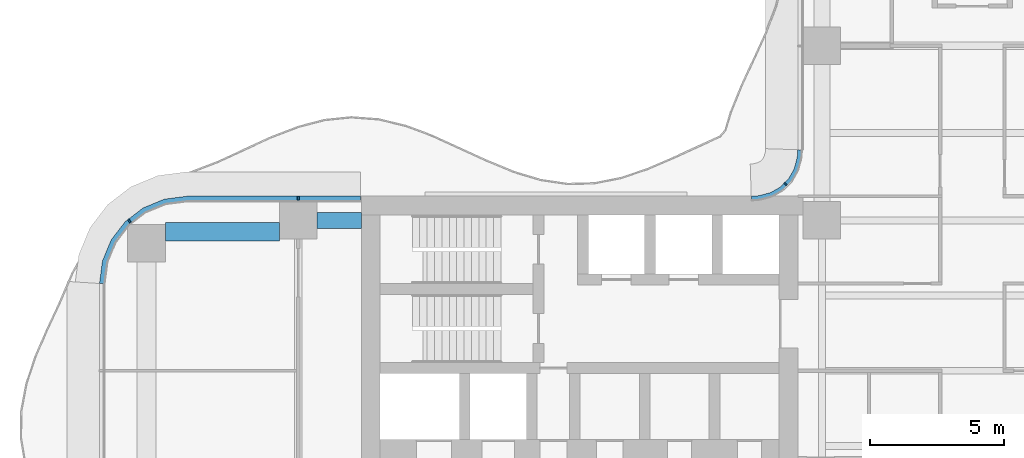
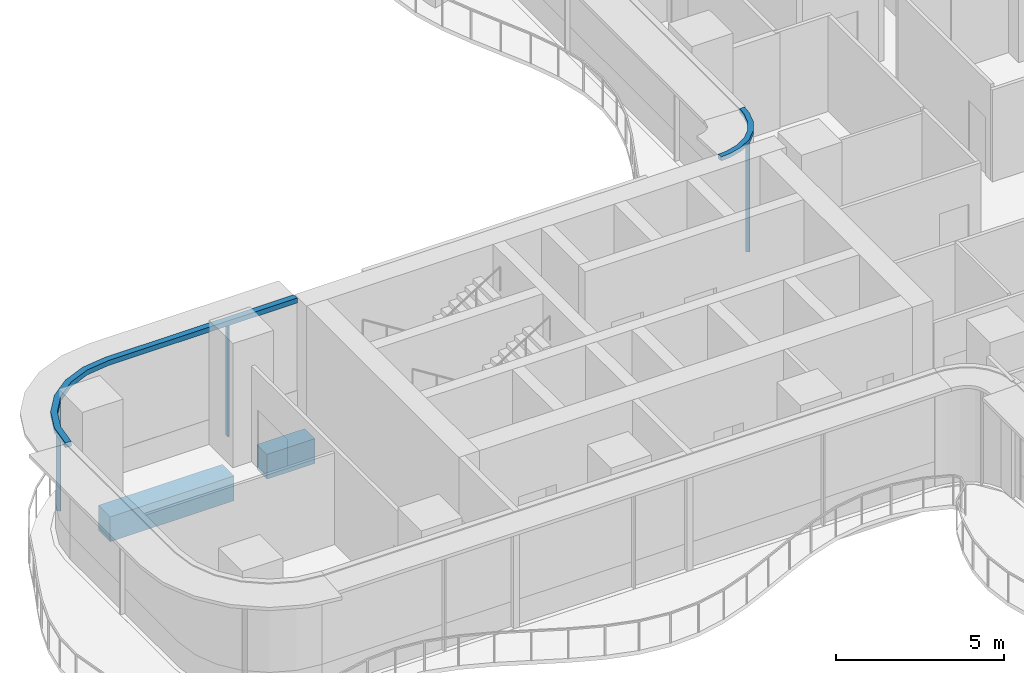
# One storey, part 8 of 22: 5 members, 2 beams, 2 elements without a shape of their own.
"""IFC4 building model written with IfcOpenShell, lengths in metres."""

from ifc_helpers import new_model, si_unit, direction, frame, origin, origin_2d, place, context, subcontext, project, spatial, polyline, rectangle, outline, extrude, source, transform, mapped, material, layer, layer_set, material_profile, profile_set, type_object, element, aggregate, save


model = new_model("IFC4")

# Units and contexts
model_context = context("Model", 3, precision=1e-05, world=origin(), true_north=direction((0.0, 1.0)))
body_context = subcontext(model_context, "Body", "Model", "MODEL_VIEW")
ifc_project = project(units=[si_unit("LENGTHUNIT", "METRE"), si_unit("AREAUNIT", "SQUARE_METRE"), si_unit("VOLUMEUNIT", "CUBIC_METRE"), si_unit("PLANEANGLEUNIT", "RADIAN"), si_unit("MASSUNIT", "GRAM", prefix="KILO")], contexts=[model_context])

# Site, building, storey
site_placement = place(None, origin())
site = spatial("IfcSite", under=ifc_project, at=site_placement, CompositionType="ELEMENT")
building_placement = place(site_placement, origin())
building = spatial("IfcBuilding", under=site, at=building_placement, Name="Trellis Farm Tower", CompositionType="ELEMENT")
storey_placement = place(building_placement, frame((0.0, 0.0, 38.5)))
storey = spatial("IfcBuildingStorey", under=building, at=storey_placement, Name="L07", CompositionType="ELEMENT", Elevation=38.5)

# Beams
ifc_material_1 = material(Name="Concrete C60/75", Category="concrete")
ifc_material_profile_1 = material_profile(ifc_material_1, rectangle(XDim=0.699951171875, YDim=0.89990234375, at=origin_2d()), Name="RC spandrel beam 700x900 C60/75")
ifc_profile_set_1 = profile_set([ifc_material_profile_1], Name="Concrete C60/75")
beam_type_1 = type_object("IfcBeamType", Name="RC spandrel beam 700x900 C60/75", PredefinedType="SPANDREL", material=ifc_profile_set_1)
shared_shape_1 = source(origin(), body_context, "Body", "SweptSolid", [
    extrude(rectangle(XDim=0.699951171875, YDim=0.89990234375, at=origin_2d()), origin(), (0.0, 0.0, 1.0), 4.25),
])
beam_1_placement = place(storey_placement, frame((-30.050048828125, 5.175048828125, -0.699951171875), z_axis=(1.0, 0.0, 0.0), x_axis=(0.0, 1.0, 0.0)))
element("IfcBeam", 1, at=beam_1_placement, inside=storey, type_object=beam_type_1, Name="Girder", PredefinedType="SPANDREL", context=body_context, shape_type="MappedRepresentation", body=[
    mapped(shared_shape_1, transform((0.0, 0.0, 0.0))),
])
ifc_material_profile_2 = material_profile(ifc_material_1, rectangle(XDim=0.60009765625, YDim=0.89990234375, at=origin_2d()), Name="RC spandrel beam 600x900 C60/75")
ifc_profile_set_2 = profile_set([ifc_material_profile_2], Name="Concrete C60/75")
beam_type_2 = type_object("IfcBeamType", Name="RC spandrel beam 600x900 C60/75", PredefinedType="SPANDREL", material=ifc_profile_set_2)
shared_shape_2 = source(origin(), body_context, "Body", "SweptSolid", [
    extrude(rectangle(XDim=0.60009765625, YDim=0.89990234375, at=origin_2d()), origin(), (0.0, 0.0, 1.0), 1.64990234375),
])
beam_2_placement = place(storey_placement, frame((-24.39990234375, 5.60009765625, -0.699951171875), z_axis=(1.0, 0.0, 0.0), x_axis=(0.0, 1.0, 0.0)))
element("IfcBeam", 2, at=beam_2_placement, inside=storey, type_object=beam_type_2, Name="Girder", PredefinedType="SPANDREL", context=body_context, shape_type="MappedRepresentation", body=[
    mapped(shared_shape_2, transform((0.0, 0.0, 0.0))),
])

# Curtain wall, members
ifc_material_2 = material(Name="Aluminium and glass curtain wall", Category="aluminium")
ifc_layer_1 = layer(ifc_material_2, 0.18994140625)
ifc_layer_set_1 = layer_set([ifc_layer_1], Name="RIBBON CURTAIN WALL CW1")
curtain_wall_type_1 = type_object("IfcCurtainWallType", Name="RIBBON CURTAIN WALL CW1", PredefinedType="NOTDEFINED", material=ifc_layer_set_1)
placement = place(storey_placement, origin())
curtain_wall_1 = element("IfcCurtainWall", 3, at=placement, inside=storey, type_object=curtain_wall_type_1, Name="CW1 012", PredefinedType="NOTDEFINED")
ifc_material_3 = material(Name="Aluminium extrusion 6063-T6", Category="aluminium")
ifc_material_profile_3 = material_profile(ifc_material_3, rectangle(XDim=0.06005859375, YDim=0.14990234375, at=origin_2d()), Name="MULLION 60x150")
ifc_profile_set_3 = profile_set([ifc_material_profile_3], Name="Aluminium extrusion 6063-T6")
member_type_1 = type_object("IfcMemberType", Name="CW1 MULLION 60x150", PredefinedType="MULLION", material=ifc_profile_set_3)
shared_shape_3 = source(origin(), body_context, "Body", "SweptSolid", [
    extrude(rectangle(XDim=0.06005859375, YDim=0.14990234375, at=origin_2d()), origin(), (0.0, 0.0, 1.0), 4.070068359375),
])
member_1_placement = place(storey_placement, frame((-25.10009765625, 6.425048828125, 0.0), z_axis=(0.0, 0.0, 1.0), x_axis=(-1.0, 0.0, 0.0)))
member_1 = element("IfcMember", 4, at=member_1_placement, type_object=member_type_1, Name="MU1 012-01", PredefinedType="MULLION", context=body_context, shape_type="MappedRepresentation", body=[
    mapped(shared_shape_3, transform((0.0, 0.0, 0.0))),
])
member_2_placement = place(storey_placement, frame((-31.385498046875, 5.578369140625, 0.0), z_axis=(0.0, 0.0, 1.0), x_axis=(-0.793353340291, -0.608761429009, 0.0)))
member_2 = element("IfcMember", 5, at=member_2_placement, type_object=member_type_1, Name="MU1 012-02", PredefinedType="MULLION", context=body_context, shape_type="MappedRepresentation", body=[
    mapped(shared_shape_3, transform((0.0, 0.0, 0.0))),
])

ifc_layer_2 = layer(ifc_material_2, 0.166015625)
ifc_layer_set_2 = layer_set([ifc_layer_2], Name="WINTER GARDEN CURTAIN WALL CW3")
curtain_wall_type_2 = type_object("IfcCurtainWallType", Name="WINTER GARDEN CURTAIN WALL CW3", PredefinedType="NOTDEFINED", material=ifc_layer_set_2)
curtain_wall_2 = element("IfcCurtainWall", 6, at=placement, inside=storey, type_object=curtain_wall_type_2, Name="CW3 004", PredefinedType="NOTDEFINED")
ifc_material_profile_4 = material_profile(ifc_material_3, rectangle(XDim=0.050048828125, YDim=0.1201171875, at=origin_2d()), Name="MULLION 50x120")
ifc_profile_set_4 = profile_set([ifc_material_profile_4], Name="Aluminium extrusion 6063-T6")
member_type_2 = type_object("IfcMemberType", Name="CW3 MULLION 50x120", PredefinedType="MULLION", material=ifc_profile_set_4)
shared_shape_4 = source(origin(), body_context, "Body", "SweptSolid", [
    extrude(rectangle(XDim=0.050048828125, YDim=0.1201171875, at=origin_2d()), origin(), (0.0, 0.0, 1.0), 4.10009765625),
])
member_3_placement = place(storey_placement, frame((-6.953125, 6.953125, 0.0), z_axis=(0.0, 0.0, 1.0), x_axis=(-0.707106781187, -0.707106781187, 0.0)))
member_3 = element("IfcMember", 7, at=member_3_placement, type_object=member_type_2, Name="MU3 004-01", PredefinedType="MULLION", context=body_context, shape_type="MappedRepresentation", body=[
    mapped(shared_shape_4, transform((0.0, 0.0, 0.0))),
])
ifc_layer_3 = layer(ifc_material_3, 0.169921875)
ifc_layer_set_3 = layer_set([ifc_layer_3], Name="Aluminium extrusion 6063-T6")
member_type_3 = type_object("IfcMemberType", Name="CW3 TRANSOM 170x150", PredefinedType="USERDEFINED", material=ifc_layer_set_3)
shared_shape_5 = source(origin(), body_context, "Body", "SweptSolid", [
    extrude(outline(polyline([(-6.5, 8.2314453125), (-6.513916015625, 8.01953125), (-6.527587890625, 7.91552734375), (-6.63671875, 7.508544921875), (-6.846923828125, 7.144287109375), (-7.144287109375, 6.846923828125), (-7.508544921875, 6.63671875), (-7.91552734375, 6.527587890625), (-8.01953125, 6.513916015625), (-8.2314453125, 6.5), (-8.225830078125, 6.330078125), (-8.0029296875, 6.3447265625), (-7.88232421875, 6.360595703125), (-7.44287109375, 6.478271484375), (-7.0400390625, 6.7109375), (-6.7109375, 7.0400390625), (-6.478271484375, 7.44287109375), (-6.360595703125, 7.88232421875), (-6.3447265625, 8.0029296875), (-6.330078125, 8.225830078125), (-6.5, 8.2314453125)])), origin(), (0.0, 0.0, 1.0), 0.14990234375),
])
member_4_placement = place(storey_placement, frame((0.0, 0.0, 4.10009765625)))
member_4 = element("IfcMember", 8, at=member_4_placement, type_object=member_type_3, Name="TR3 004", ObjectType="TRANSOM", PredefinedType="USERDEFINED", context=body_context, shape_type="MappedRepresentation", body=[
    mapped(shared_shape_5, transform((0.0, 0.0, 0.0))),
])
aggregate(curtain_wall_2, [member_3, member_4])

# Member
ifc_layer_4 = layer(ifc_material_3, 0.199951171875)
ifc_layer_set_4 = layer_set([ifc_layer_4], Name="Aluminium extrusion 6063-T6")
member_type_4 = type_object("IfcMemberType", Name="CW1 TRANSOM 200x180", PredefinedType="USERDEFINED", material=ifc_layer_set_4)
shared_shape_6 = source(origin(), body_context, "Body", "SweptSolid", [
    extrude(outline(polyline([(-22.780029296875, 6.5), (-29.25, 6.5), (-30.091064453125, 6.38916015625), (-30.875, 6.064697265625), (-31.548095703125, 5.548095703125), (-32.064697265625, 4.875), (-32.38916015625, 4.091064453125), (-32.5, 3.25), (-32.300048828125, 3.23681640625), (-32.1943359375, 4.0390625), (-31.889892578125, 4.774169921875), (-31.405517578125, 5.405517578125), (-30.774169921875, 5.889892578125), (-30.0390625, 6.1943359375), (-29.23681640625, 6.300048828125), (-22.780029296875, 6.300048828125), (-22.780029296875, 6.5)])), origin(), (0.0, 0.0, 1.0), 0.179931640625),
])
member_5_placement = place(storey_placement, frame((0.0, 0.0, 4.070068359375)))
member_5 = element("IfcMember", 9, at=member_5_placement, type_object=member_type_4, Name="TR1 012", ObjectType="TRANSOM", PredefinedType="USERDEFINED", context=body_context, shape_type="MappedRepresentation", body=[
    mapped(shared_shape_6, transform((0.0, 0.0, 0.0))),
])

aggregate(curtain_wall_1, [member_1, member_2, member_5])

save(model, "model.ifc")
